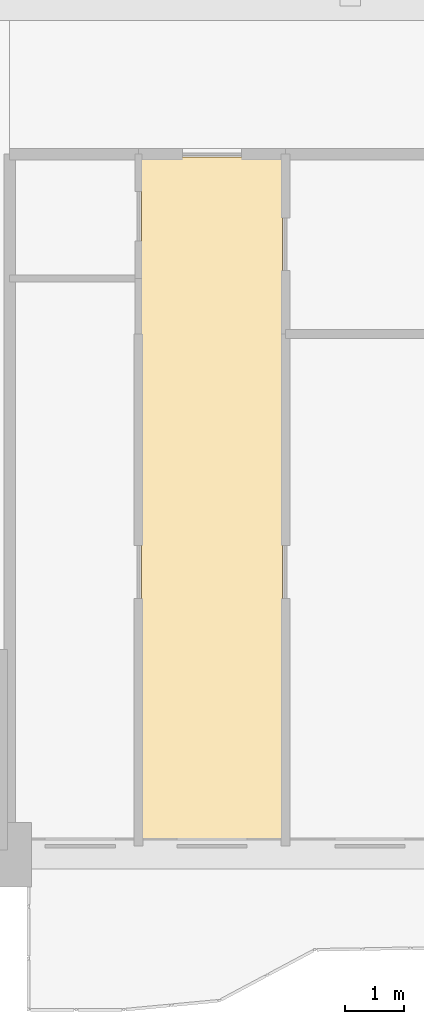
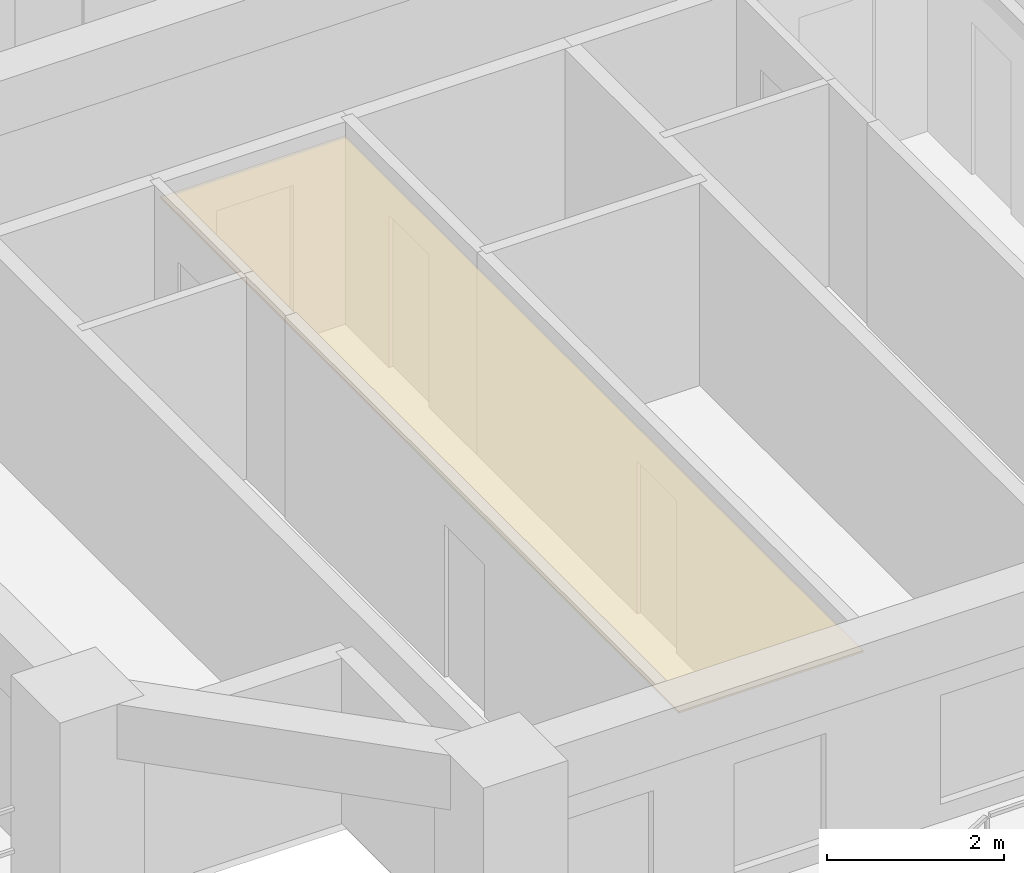
# One storey, part 12 of 17: 1 covering.
"""IFC4 building model written with IfcOpenShell, lengths in metres."""

from ifc_helpers import new_model, si_unit, direction, frame, origin, place, context, subcontext, project, spatial, polyline, outline, extrude, material, layer, layer_set, type_object, element, save


model = new_model("IFC4")

# Units and contexts
model_context = context("Model", 3, precision=1e-05, world=origin(), true_north=direction((0.0, 1.0)))
body_context = subcontext(model_context, "Body", "Model", "MODEL_VIEW")
ifc_project = project(units=[si_unit("LENGTHUNIT", "METRE"), si_unit("AREAUNIT", "SQUARE_METRE"), si_unit("VOLUMEUNIT", "CUBIC_METRE"), si_unit("PLANEANGLEUNIT", "RADIAN"), si_unit("MASSUNIT", "GRAM", prefix="KILO")], contexts=[model_context])

# Site, building, storey
site_placement = place(None, origin())
site = spatial("IfcSite", under=ifc_project, at=site_placement, CompositionType="ELEMENT")
building_placement = place(site_placement, origin())
building = spatial("IfcBuilding", under=site, at=building_placement, Name="Saelheon Loggia Tower", CompositionType="ELEMENT")
storey_placement = place(building_placement, frame((0.0, 0.0, 22.39990234375)))
storey = spatial("IfcBuildingStorey", under=building, at=storey_placement, Name="L06", CompositionType="ELEMENT", Elevation=22.39990234375)

# Covering
ifc_material = material(Name="Mineral-Fibre Acoustic Ceiling Board", Category="gypsum")
ifc_layer = layer(ifc_material, 0.02490234375)
ifc_layer_set = layer_set([ifc_layer], Name="Mineral-Fibre Acoustic Ceiling Board")
covering_type = type_object("IfcCoveringType", Name="Cov_Ceiling_Acoustic", PredefinedType="CEILING", material=ifc_layer_set)
covering_placement = place(storey_placement, frame((0.0, 0.0, 2.53515625)))
element("IfcCovering", 1, at=covering_placement, inside=storey, type_object=covering_type, Name="L06 Acoustic Suspended Ceiling", PredefinedType="CEILING", context=body_context, shape_type="SweptSolid", body=[
    extrude(outline(polyline([(17.929931640625, 3.199951171875), (20.335205078125, 3.199951171875), (20.335205078125, 14.89990234375), (17.929931640625, 14.89990234375), (17.929931640625, 3.199951171875)])), origin(), (0.0, 0.0, 1.0), 0.02490234375),
])

save(model, "model.ifc")
